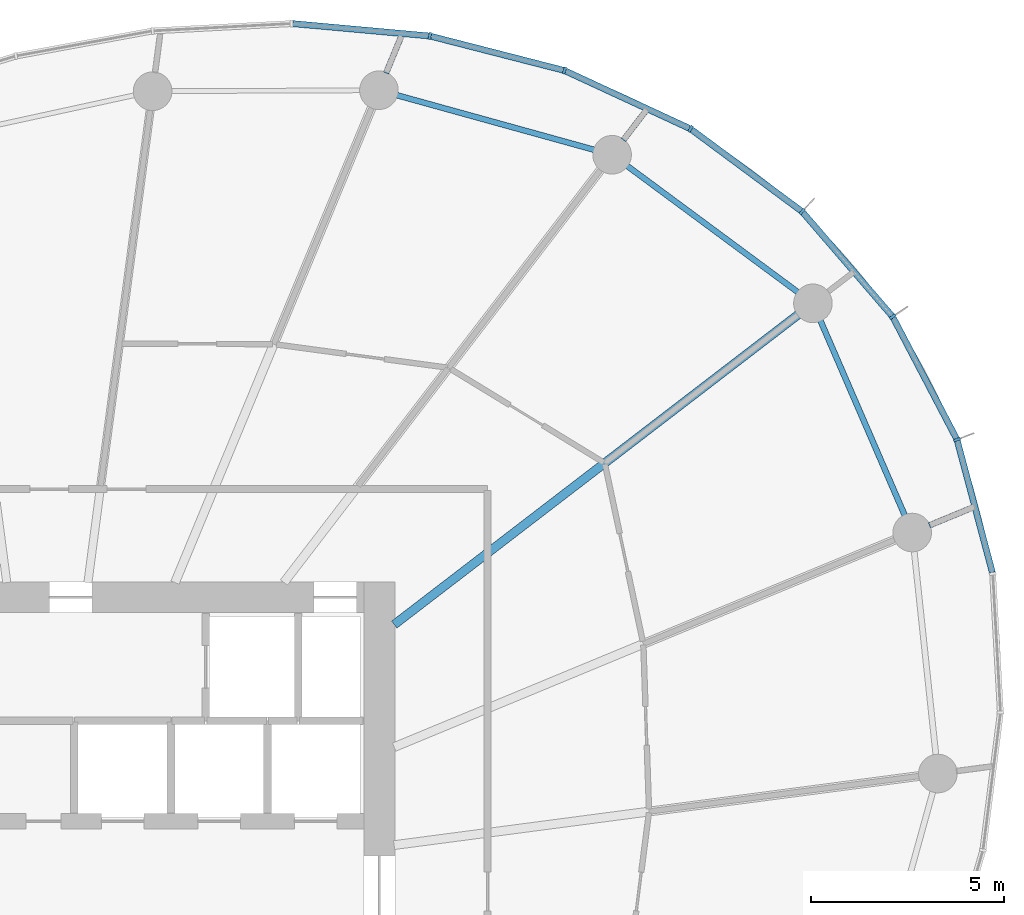
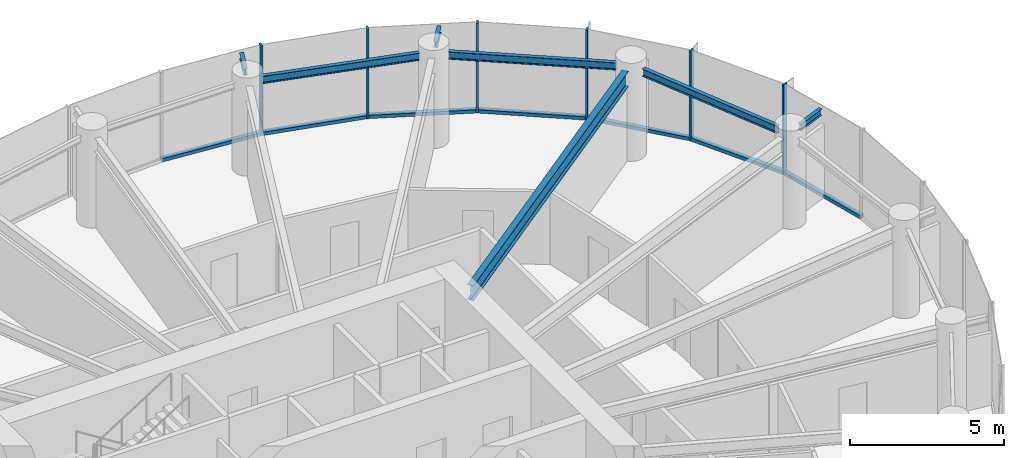
# One storey, part 6 of 14: 13 members, 7 beams, 2 elements without a shape of their own.
"""IFC4 building model written with IfcOpenShell, lengths in metres."""

from ifc_helpers import new_model, si_unit, direction, frame, origin, origin_2d, place, context, subcontext, project, spatial, rectangle, i_section, extrude, source, transform, mapped, material, layer, layer_set, material_profile, profile_set, type_object, element, aggregate, save


model = new_model("IFC4")

# Units and contexts
model_context = context("Model", 3, precision=1e-05, world=origin(), true_north=direction((0.0, 1.0)))
body_context = subcontext(model_context, "Body", "Model", "MODEL_VIEW")
ifc_project = project(units=[si_unit("LENGTHUNIT", "METRE"), si_unit("AREAUNIT", "SQUARE_METRE"), si_unit("VOLUMEUNIT", "CUBIC_METRE"), si_unit("PLANEANGLEUNIT", "RADIAN"), si_unit("MASSUNIT", "GRAM", prefix="KILO")], contexts=[model_context])

# Site, building, storey
site_placement = place(None, origin())
site = spatial("IfcSite", under=ifc_project, at=site_placement, CompositionType="ELEMENT")
building_placement = place(site_placement, origin())
building = spatial("IfcBuilding", under=site, at=building_placement, Name="Spindrift Exchange Tower", CompositionType="ELEMENT")
storey_placement = place(building_placement, frame((0.0, 0.0, 144.800048828125)))
storey = spatial("IfcBuildingStorey", under=building, at=storey_placement, Name="L34", CompositionType="ELEMENT", Elevation=144.800048828125)

# Beams
ifc_material_1 = material(Name="Steel Grade 300", Category="steel")
ifc_material_profile_1 = material_profile(ifc_material_1, i_section(OverallWidth=0.14599609375, OverallDepth=0.251953125, WebThickness=0.006103515625, FlangeThickness=0.008544921875, FilletRadius=0.011962890625, at=origin_2d()), Name="250UB31.4")
ifc_profile_set_1 = profile_set([ifc_material_profile_1], Name="Steel Grade 300")
beam_type_1 = type_object("IfcBeamType", Name="Cantilever Beam 250UB31.4 Steel Grade 300", PredefinedType="BEAM", material=ifc_profile_set_1)
shared_shape_1 = source(origin(), body_context, "Body", "SweptSolid", [
    extrude(i_section(OverallWidth=0.14599609375, OverallDepth=0.251953125, WebThickness=0.006103515625, FlangeThickness=0.008544921875, FilletRadius=0.011962890625, at=origin_2d()), origin(), (0.0, 0.0, 1.0), 0.964111328125),
])
beam_1_placement = place(storey_placement, frame((60.770751953125, 69.17431640625, 3.453857421875), z_axis=(0.382672391391, 0.923884105755, 0.0), x_axis=(-0.923884105755, 0.382672391391, 0.0)))
element("IfcBeam", 1, at=beam_1_placement, inside=storey, type_object=beam_type_1, Name="L34 cantilever beam R05T", PredefinedType="BEAM", context=body_context, shape_type="MappedRepresentation", body=[
    mapped(shared_shape_1, transform((0.0, 0.0, 0.0), scale=1.0)),
])
ifc_material_profile_2 = material_profile(ifc_material_1, i_section(OverallWidth=0.14892578125, OverallDepth=0.298095703125, WebThickness=0.005615234375, FlangeThickness=0.008056640625, FilletRadius=0.012939453125, at=origin_2d()), Name="310UB32.0")
ifc_profile_set_2 = profile_set([ifc_material_profile_2], Name="Steel Grade 300")
beam_type_2 = type_object("IfcBeamType", Name="Edge Beam 310UB32.0 Steel Grade 300", PredefinedType="SPANDREL", material=ifc_profile_set_2)
shared_shape_2 = source(origin(), body_context, "Body", "SweptSolid", [
    extrude(i_section(OverallWidth=0.14892578125, OverallDepth=0.298095703125, WebThickness=0.005615234375, FlangeThickness=0.008056640625, FilletRadius=0.012939453125, at=origin_2d()), origin(), (0.0, 0.0, 1.0), 5.508544921875),
])
beam_2_placement = place(storey_placement, frame((74.205810546875, 57.717529296875, 3.430908203125), z_axis=(-0.397414644433, 0.917639144975, 0.0), x_axis=(-0.917639144975, -0.397414644433, 0.0)))
element("IfcBeam", 2, at=beam_2_placement, inside=storey, type_object=beam_type_2, Name="L34 edge beam E02", PredefinedType="SPANDREL", context=body_context, shape_type="MappedRepresentation", body=[
    mapped(shared_shape_2, transform((0.0, 0.0, 0.0), scale=1.0)),
])
shared_shape_3 = source(origin(), body_context, "Body", "SweptSolid", [
    extrude(i_section(OverallWidth=0.14892578125, OverallDepth=0.298095703125, WebThickness=0.005615234375, FlangeThickness=0.008056640625, FilletRadius=0.012939453125, at=origin_2d()), origin(), (0.0, 0.0, 1.0), 5.509033203125),
])
beam_3_placement = place(storey_placement, frame((71.43994140625, 63.498291015625, 3.430908203125), z_axis=(-0.803991901791, 0.594640245741, 0.0), x_axis=(-0.594640245741, -0.803991901791, 0.0)))
element("IfcBeam", 3, at=beam_3_placement, inside=storey, type_object=beam_type_2, Name="L34 edge beam E03", PredefinedType="SPANDREL", context=body_context, shape_type="MappedRepresentation", body=[
    mapped(shared_shape_3, transform((0.0, 0.0, 0.0), scale=1.0)),
])
shared_shape_4 = source(origin(), body_context, "Body", "SweptSolid", [
    extrude(i_section(OverallWidth=0.14892578125, OverallDepth=0.298095703125, WebThickness=0.005615234375, FlangeThickness=0.008056640625, FilletRadius=0.012939453125, at=origin_2d()), origin(), (0.0, 0.0, 1.0), 5.30517578125),
])
beam_4_placement = place(storey_placement, frame((66.162353515625, 67.1875, 3.430908203125), z_axis=(-0.963757513624, 0.26677978734, 0.0), x_axis=(-0.26677978734, -0.963757513624, 0.0)))
element("IfcBeam", 4, at=beam_4_placement, inside=storey, type_object=beam_type_2, Name="L34 edge beam E04", PredefinedType="SPANDREL", context=body_context, shape_type="MappedRepresentation", body=[
    mapped(shared_shape_4, transform((0.0, 0.0, 0.0), scale=1.0)),
])
ifc_material_profile_3 = material_profile(ifc_material_1, i_section(OverallWidth=0.22802734375, OverallDepth=0.60205078125, WebThickness=0.010498046875, FlangeThickness=0.014892578125, FilletRadius=0.013916015625, at=origin_2d()), Name="610UB101")
ifc_profile_set_3 = profile_set([ifc_material_profile_3], Name="Steel Grade 300")
beam_type_3 = type_object("IfcBeamType", Name="Floor Beam 610UB101 Steel Grade 300", PredefinedType="BEAM", material=ifc_profile_set_3)
shared_shape_5 = source(origin(), body_context, "Body", "SweptSolid", [
    extrude(i_section(OverallWidth=0.22802734375, OverallDepth=0.60205078125, WebThickness=0.010498046875, FlangeThickness=0.014892578125, FilletRadius=0.013916015625, at=origin_2d()), origin(), (0.0, 0.0, 1.0), 13.185546875),
])
beam_5_placement = place(storey_placement, frame((60.984130859375, 54.893798828125, 3.279052734375), z_axis=(0.793357156703, 0.608756455332, 0.0), x_axis=(-0.608756455332, 0.793357156703, 0.0)))
element("IfcBeam", 5, at=beam_5_placement, inside=storey, type_object=beam_type_3, Name="L34 radial beam R03A", PredefinedType="BEAM", context=body_context, shape_type="MappedRepresentation", body=[
    mapped(shared_shape_5, transform((0.0, 0.0, 0.0), scale=1.0)),
])
shared_shape_6 = source(origin(), body_context, "Body", "SweptSolid", [
    extrude(i_section(OverallWidth=0.14599609375, OverallDepth=0.251953125, WebThickness=0.006103515625, FlangeThickness=0.008544921875, FilletRadius=0.011962890625, at=origin_2d()), origin(), (0.0, 0.0, 1.0), 1.1201171875),
])
beam_6_placement = place(storey_placement, frame((74.840087890625, 57.460693359375, 3.453857421875), z_axis=(0.923868073298, 0.382711096181, 0.0), x_axis=(-0.382711096181, 0.923868073298, 0.0)))
element("IfcBeam", 6, at=beam_6_placement, inside=storey, type_object=beam_type_1, Name="L34 cantilever beam R02T", PredefinedType="BEAM", context=body_context, shape_type="MappedRepresentation", body=[
    mapped(shared_shape_6, transform((0.0, 0.0, 0.0), scale=1.0)),
])
shared_shape_7 = source(origin(), body_context, "Body", "SweptSolid", [
    extrude(i_section(OverallWidth=0.14599609375, OverallDepth=0.251953125, WebThickness=0.006103515625, FlangeThickness=0.008544921875, FilletRadius=0.011962890625, at=origin_2d()), origin(), (0.0, 0.0, 1.0), 0.89990234375),
])
beam_7_placement = place(storey_placement, frame((66.9169921875, 67.440185546875, 3.453857421875), z_axis=(0.608818785139, 0.79330932609, 0.0), x_axis=(-0.79330932609, 0.608818785139, 0.0)))
element("IfcBeam", 7, at=beam_7_placement, inside=storey, type_object=beam_type_1, Name="L34 cantilever beam R04T", PredefinedType="BEAM", context=body_context, shape_type="MappedRepresentation", body=[
    mapped(shared_shape_7, transform((0.0, 0.0, 0.0), scale=1.0)),
])

# Curtain wall, members
ifc_material_2 = material(Name="Fritted laminated glass with bronze frame", Category="glass")
ifc_layer = layer(ifc_material_2, 0.179931640625)
ifc_layer_set = layer_set([ifc_layer], Name="ZONE 3 BRONZE FRITTED WALL")
curtain_wall_type = type_object("IfcCurtainWallType", Name="ZONE 3 BRONZE FRITTED WALL", PredefinedType="NOTDEFINED", material=ifc_layer_set)
curtain_wall_1_placement = place(storey_placement, origin())
curtain_wall_1 = element("IfcCurtainWall", 8, at=curtain_wall_1_placement, inside=storey, type_object=curtain_wall_type, Name="L34 Zone 3 Bronze Fritted Wall run 1", PredefinedType="NOTDEFINED")
ifc_material_3 = material(Name="Bronze anodised aluminium", Category="aluminium")
ifc_material_profile_4 = material_profile(ifc_material_3, rectangle(XDim=0.070068359375, YDim=0.179931640625, at=origin_2d()), Name="ZONE 3 BRONZE FRITTED WALL MULLION 70X180")
ifc_profile_set_4 = profile_set([ifc_material_profile_4], Name="Bronze anodised aluminium")
member_type_1 = type_object("IfcMemberType", Name="ZONE 3 BRONZE FRITTED WALL MULLION 70X180", PredefinedType="MULLION", material=ifc_profile_set_4)
shared_shape_8 = source(origin(), body_context, "Body", "SweptSolid", [
    extrude(rectangle(XDim=0.070068359375, YDim=0.179931640625, at=origin_2d()), origin(), (0.0, 0.0, 1.0), 3.579833984375),
])
member_1_placement = place(storey_placement, frame((73.890380859375, 62.86669921875, 0.0), z_axis=(0.0, 0.0, 1.0), x_axis=(-0.561821952861, 0.82725817813, 0.0)))
member_1 = element("IfcMember", 9, at=member_1_placement, type_object=member_type_1, Name="L34 mullion CW-3.1", PredefinedType="MULLION", context=body_context, shape_type="MappedRepresentation", body=[
    mapped(shared_shape_8, transform((0.0, 0.0, 0.0), scale=1.0)),
])
member_2_placement = place(storey_placement, frame((71.544677734375, 65.59033203125, 0.0), z_axis=(0.0, 0.0, 1.0), x_axis=(-0.732517762559, 0.680747917761, 0.0)))
member_2 = element("IfcMember", 10, at=member_2_placement, type_object=member_type_1, Name="L34 mullion CW-3.2", PredefinedType="MULLION", context=body_context, shape_type="MappedRepresentation", body=[
    mapped(shared_shape_8, transform((0.0, 0.0, 0.0), scale=1.0)),
])
member_3_placement = place(storey_placement, frame((68.65576171875, 67.731201171875, 0.0), z_axis=(0.0, 0.0, 1.0), x_axis=(-0.859981268558, 0.51032559972, 0.0)))
member_3 = element("IfcMember", 11, at=member_3_placement, type_object=member_type_1, Name="L34 mullion CW-3.3", PredefinedType="MULLION", context=body_context, shape_type="MappedRepresentation", body=[
    mapped(shared_shape_8, transform((0.0, 0.0, 0.0), scale=1.0)),
])
member_4_placement = place(storey_placement, frame((65.391357421875, 69.24169921875, 0.0), z_axis=(0.0, 0.0, 1.0), x_axis=(-0.942021688854, 0.335551989605, 0.0)))
member_4 = element("IfcMember", 12, at=member_4_placement, type_object=member_type_1, Name="L34 mullion CW-3.4", PredefinedType="MULLION", context=body_context, shape_type="MappedRepresentation", body=[
    mapped(shared_shape_8, transform((0.0, 0.0, 0.0), scale=1.0)),
])
member_5_placement = place(storey_placement, frame((61.906005859375, 70.135498046875, 0.0), z_axis=(0.0, 0.0, 1.0), x_axis=(-0.98548923819, 0.169737919784, 0.0)))
member_5 = element("IfcMember", 13, at=member_5_placement, type_object=member_type_1, Name="L34 mullion CW-3.5", PredefinedType="MULLION", context=body_context, shape_type="MappedRepresentation", body=[
    mapped(shared_shape_8, transform((0.0, 0.0, 0.0), scale=1.0)),
])

curtain_wall_2_placement = place(storey_placement, origin())
curtain_wall_2 = element("IfcCurtainWall", 14, at=curtain_wall_2_placement, inside=storey, type_object=curtain_wall_type, Name="L34 Zone 3 Bronze Fritted Wall run 7", PredefinedType="NOTDEFINED")
member_6_placement = place(storey_placement, frame((75.557373046875, 59.681640625, 0.0), z_axis=(0.0, 0.0, 1.0), x_axis=(-0.362695010346, 0.931907897525, 0.0)))
member_6 = element("IfcMember", 15, at=member_6_placement, type_object=member_type_1, Name="L34 mullion CW-3.41", PredefinedType="MULLION", context=body_context, shape_type="MappedRepresentation", body=[
    mapped(shared_shape_8, transform((0.0, 0.0, 0.0), scale=1.0)),
])
ifc_material_profile_5 = material_profile(ifc_material_3, rectangle(XDim=0.159912109375, YDim=0.1298828125, at=origin_2d()), Name="ZONE 3 BRONZE FRITTED WALL TRANSOM 160X130")
ifc_profile_set_5 = profile_set([ifc_material_profile_5], Name="Bronze anodised aluminium")
member_type_2 = type_object("IfcMemberType", Name="ZONE 3 BRONZE FRITTED WALL TRANSOM 160X130", PredefinedType="USERDEFINED", material=ifc_profile_set_5)
shared_shape_9 = source(origin(), body_context, "Body", "SweptSolid", [
    extrude(rectangle(XDim=0.159912109375, YDim=0.1298828125, at=origin_2d()), origin(), (0.0, 0.0, 1.0), 3.52490234375),
])
member_7_placement = place(storey_placement, frame((75.541259765625, 59.712646484375, 0.06494140625), z_axis=(-0.463704165201, 0.885990094287, 0.0), x_axis=(-0.885990094287, -0.463704165201, 0.0)))
member_7 = element("IfcMember", 16, at=member_7_placement, type_object=member_type_2, Name="L34 transom CW-3.41", ObjectType="TRANSOM", PredefinedType="USERDEFINED", context=body_context, shape_type="MappedRepresentation", body=[
    mapped(shared_shape_9, transform((0.0, 0.0, 0.0), scale=1.0)),
])

# Member
shared_shape_10 = source(origin(), body_context, "Body", "SweptSolid", [
    extrude(rectangle(XDim=0.159912109375, YDim=0.1298828125, at=origin_2d()), origin(), (0.0, 0.0, 1.0), 3.524658203125),
])
member_8_placement = place(storey_placement, frame((73.86767578125, 62.89306640625, 0.06494140625), z_axis=(-0.652614829217, 0.757689834091, 0.0), x_axis=(-0.757689834091, -0.652614829217, 0.0)))
member_8 = element("IfcMember", 17, at=member_8_placement, type_object=member_type_2, Name="L34 transom CW-3.1", ObjectType="TRANSOM", PredefinedType="USERDEFINED", context=body_context, shape_type="MappedRepresentation", body=[
    mapped(shared_shape_10, transform((0.0, 0.0, 0.0), scale=1.0)),
])

shared_shape_11 = source(origin(), body_context, "Body", "SweptSolid", [
    extrude(rectangle(XDim=0.159912109375, YDim=0.1298828125, at=origin_2d()), origin(), (0.0, 0.0, 1.0), 3.528076171875),
])
member_9_placement = place(storey_placement, frame((65.357421875, 69.250244140625, 0.06494140625), z_axis=(-0.968651057986, 0.24842529634, 0.0), x_axis=(-0.24842529634, -0.968651057986, 0.0)))
member_9 = element("IfcMember", 18, at=member_9_placement, type_object=member_type_2, Name="L34 transom CW-3.4", ObjectType="TRANSOM", PredefinedType="USERDEFINED", context=body_context, shape_type="MappedRepresentation", body=[
    mapped(shared_shape_11, transform((0.0, 0.0, 0.0), scale=1.0)),
])

shared_shape_12 = source(origin(), body_context, "Body", "SweptSolid", [
    extrude(rectangle(XDim=0.159912109375, YDim=0.1298828125, at=origin_2d()), origin(), (0.0, 0.0, 1.0), 3.529052734375),
])
member_10_placement = place(storey_placement, frame((61.87109375, 70.138427734375, 0.06494140625), z_axis=(-0.995941265767, 0.090005528394, 0.0), x_axis=(-0.090005528394, -0.995941265767, 0.0)))
member_10 = element("IfcMember", 19, at=member_10_placement, type_object=member_type_2, Name="L34 transom CW-3.5", ObjectType="TRANSOM", PredefinedType="USERDEFINED", context=body_context, shape_type="MappedRepresentation", body=[
    mapped(shared_shape_12, transform((0.0, 0.0, 0.0), scale=1.0)),
])

shared_shape_13 = source(origin(), body_context, "Body", "SweptSolid", [
    extrude(rectangle(XDim=0.159912109375, YDim=0.1298828125, at=origin_2d()), origin(), (0.0, 0.0, 1.0), 3.52685546875),
])
member_11_placement = place(storey_placement, frame((68.6240234375, 67.745849609375, 0.06494140625), z_axis=(-0.907569999297, 0.419900817309, 0.0), x_axis=(-0.419900817309, -0.907569999297, 0.0)))
member_11 = element("IfcMember", 20, at=member_11_placement, type_object=member_type_2, Name="L34 transom CW-3.3", ObjectType="TRANSOM", PredefinedType="USERDEFINED", context=body_context, shape_type="MappedRepresentation", body=[
    mapped(shared_shape_13, transform((0.0, 0.0, 0.0), scale=1.0)),
])

shared_shape_14 = source(origin(), body_context, "Body", "SweptSolid", [
    extrude(rectangle(XDim=0.159912109375, YDim=0.1298828125, at=origin_2d()), origin(), (0.0, 0.0, 1.0), 3.525634765625),
])
member_12_placement = place(storey_placement, frame((76.473388671875, 56.24072265625, 0.06494140625), z_axis=(-0.257253178484, 0.966344039232, 0.0), x_axis=(-0.966344039232, -0.257253178484, 0.0)))
member_12 = element("IfcMember", 21, at=member_12_placement, type_object=member_type_2, Name="L34 transom CW-3.40", ObjectType="TRANSOM", PredefinedType="USERDEFINED", context=body_context, shape_type="MappedRepresentation", body=[
    mapped(shared_shape_14, transform((0.0, 0.0, 0.0), scale=1.0)),
])

aggregate(curtain_wall_2, [member_12, member_6, member_7])

shared_shape_15 = source(origin(), body_context, "Body", "SweptSolid", [
    extrude(rectangle(XDim=0.159912109375, YDim=0.1298828125, at=origin_2d()), origin(), (0.0, 0.0, 1.0), 3.52587890625),
])
member_13_placement = place(storey_placement, frame((71.5166015625, 65.611083984375, 0.06494140625), z_axis=(-0.80341856427, 0.595414654327, 0.0), x_axis=(-0.595414654327, -0.80341856427, 0.0)))
member_13 = element("IfcMember", 22, at=member_13_placement, type_object=member_type_2, Name="L34 transom CW-3.2", ObjectType="TRANSOM", PredefinedType="USERDEFINED", context=body_context, shape_type="MappedRepresentation", body=[
    mapped(shared_shape_15, transform((0.0, 0.0, 0.0), scale=1.0)),
])

aggregate(curtain_wall_1, [member_1, member_8, member_2, member_13, member_3, member_11, member_4, member_9, member_5, member_10])

save(model, "model.ifc")
